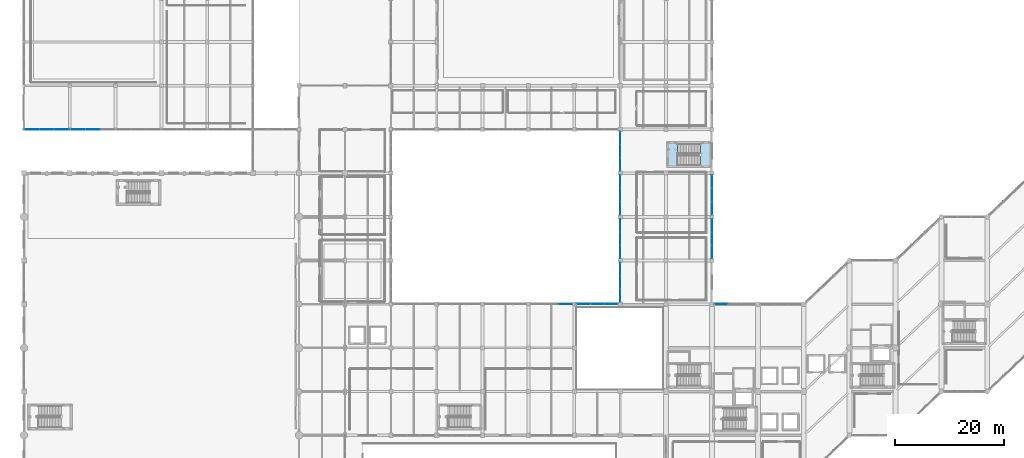
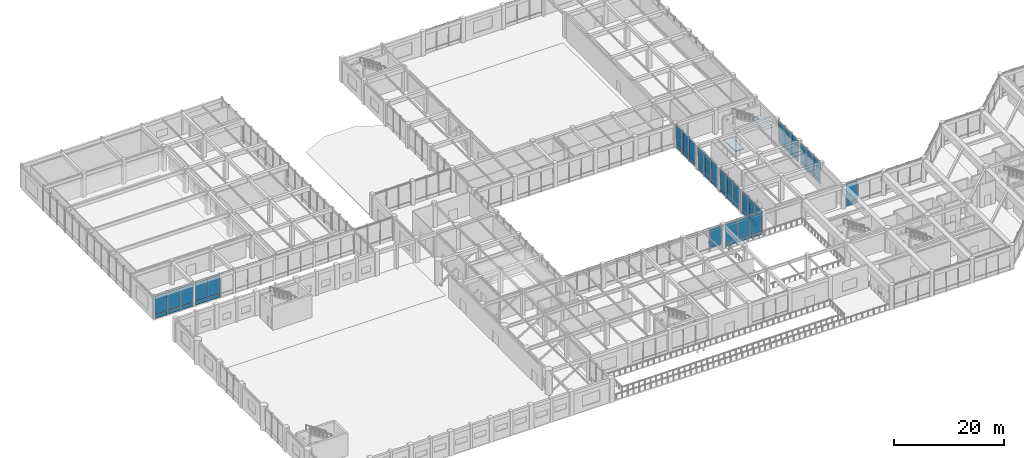
# One storey, part 50 of 79: 55 plates, 2 slabs, 12 elements without a shape of their own.
"""IFC4 building model written with IfcOpenShell, lengths in metres."""

from ifc_helpers import new_model, si_unit, direction, frame, origin, origin_2d, place, context, subcontext, project, spatial, polyline, rectangle, outline, extrude, material, layer, layer_set, type_object, element, aggregate, save


model = new_model("IFC4")

# Units and contexts
model_context = context("Model", 3, precision=1e-05, world=origin(), true_north=direction((0.0, 1.0)))
body_context = subcontext(model_context, "Body", "Model", "MODEL_VIEW")
ifc_project = project(units=[si_unit("LENGTHUNIT", "METRE"), si_unit("AREAUNIT", "SQUARE_METRE"), si_unit("VOLUMEUNIT", "CUBIC_METRE"), si_unit("PLANEANGLEUNIT", "RADIAN"), si_unit("MASSUNIT", "GRAM", prefix="KILO")], contexts=[model_context])

# Site, building, storey
site_placement = place(None, origin())
site = spatial("IfcSite", under=ifc_project, at=site_placement, CompositionType="ELEMENT")
building_placement = place(site_placement, origin())
building = spatial("IfcBuilding", under=site, at=building_placement, Name="Naruveol Harbour Congress Hotel", CompositionType="ELEMENT")
storey_placement = place(building_placement, frame((0.0, 0.0, 6.0)))
storey = spatial("IfcBuildingStorey", under=building, at=storey_placement, Name="L01", CompositionType="ELEMENT", Elevation=6.0)

# Curtain wall, plates
ifc_material_1 = material(Name="Low-E Curtain Wall System", Category="glass")
ifc_layer_1 = layer(ifc_material_1, 0.179931640625)
ifc_layer_set_1 = layer_set([ifc_layer_1], Name="Low-E Curtain Wall System")
curtain_wall_type_1 = type_object("IfcCurtainWallType", Name="UNITISED CURTAIN WALL CW-V3S-14 8050X5100", PredefinedType="USERDEFINED", material=ifc_layer_set_1)
curtain_wall_1_placement = place(storey_placement, origin())
curtain_wall_1 = element("IfcCurtainWall", 1, at=curtain_wall_1_placement, inside=storey, type_object=curtain_wall_type_1, Name="Unitised curtain wall CW-V3S-14 L01", ObjectType="UNITISED GLAZING", PredefinedType="USERDEFINED")
ifc_material_2 = material(Name="Anodised Aluminium Spandrel", Category="aluminium")
ifc_layer_2 = layer(ifc_material_2, 0.054931640625)
ifc_layer_set_2 = layer_set([ifc_layer_2], Name="Anodised Aluminium Spandrel")
plate_type_1 = type_object("IfcPlateType", Name="INSULATED CERAMIC SPANDREL PANEL 55", PredefinedType="CURTAIN_PANEL", material=ifc_layer_set_2)
plate_1_placement = place(storey_placement, frame((12.60009765625, 63.989990234375, 0.0400390625), z_axis=(0.0, 0.0, 1.0), x_axis=(-1.0, 0.0, 0.0)))
plate_1 = element("IfcPlate", 2, at=plate_1_placement, type_object=plate_type_1, Name="Curtain wall spandrel panel CW-L01-0025-PS1", PredefinedType="CURTAIN_PANEL", context=body_context, shape_type="SweptSolid", body=[
    extrude(rectangle(XDim=2.60302734375, YDim=0.054931640625, at=origin_2d()), origin(), (0.0, 0.0, 1.0), 0.77001953125),
])
plate_2_placement = place(storey_placement, frame((9.916748046875, 63.989990234375, 0.0400390625), z_axis=(0.0, 0.0, 1.0), x_axis=(-1.0, 0.0, 0.0)))
plate_2 = element("IfcPlate", 3, at=plate_2_placement, type_object=plate_type_1, Name="Curtain wall spandrel panel CW-L01-0025-PS2", PredefinedType="CURTAIN_PANEL", context=body_context, shape_type="SweptSolid", body=[
    extrude(rectangle(XDim=2.60302734375, YDim=0.054931640625, at=origin_2d()), origin(), (0.0, 0.0, 1.0), 0.77001953125),
])

curtain_wall_2_placement = place(storey_placement, origin())
curtain_wall_2 = element("IfcCurtainWall", 4, at=curtain_wall_2_placement, inside=storey, type_object=curtain_wall_type_1, Name="Unitised curtain wall CW-V3S-14 L01", ObjectType="UNITISED GLAZING", PredefinedType="USERDEFINED")
plate_3_placement = place(storey_placement, frame((6.88330078125, 63.989990234375, 0.0400390625), z_axis=(0.0, 0.0, 1.0), x_axis=(-1.0, 0.0, 0.0)))
plate_3 = element("IfcPlate", 5, at=plate_3_placement, type_object=plate_type_1, Name="Curtain wall spandrel panel CW-L01-0026-PS0", PredefinedType="CURTAIN_PANEL", context=body_context, shape_type="SweptSolid", body=[
    extrude(rectangle(XDim=2.60302734375, YDim=0.054931640625, at=origin_2d()), origin(), (0.0, 0.0, 1.0), 0.77001953125),
])
plate_4_placement = place(storey_placement, frame((4.199951171875, 63.989990234375, 0.0400390625), z_axis=(0.0, 0.0, 1.0), x_axis=(-1.0, 0.0, 0.0)))
plate_4 = element("IfcPlate", 6, at=plate_4_placement, type_object=plate_type_1, Name="Curtain wall spandrel panel CW-L01-0026-PS1", PredefinedType="CURTAIN_PANEL", context=body_context, shape_type="SweptSolid", body=[
    extrude(rectangle(XDim=2.60302734375, YDim=0.054931640625, at=origin_2d()), origin(), (0.0, 0.0, 1.0), 0.77001953125),
])
plate_5_placement = place(storey_placement, frame((1.5166015625, 63.989990234375, 0.0400390625), z_axis=(0.0, 0.0, 1.0), x_axis=(-1.0, 0.0, 0.0)))
plate_5 = element("IfcPlate", 7, at=plate_5_placement, type_object=plate_type_1, Name="Curtain wall spandrel panel CW-L01-0026-PS2", PredefinedType="CURTAIN_PANEL", context=body_context, shape_type="SweptSolid", body=[
    extrude(rectangle(XDim=2.60302734375, YDim=0.054931640625, at=origin_2d()), origin(), (0.0, 0.0, 1.0), 0.77001953125),
])

ifc_material_3 = material(Name="Low-E Curtain Wall System", Category="glass")
ifc_layer_3 = layer(ifc_material_3, 0.179931640625)
ifc_layer_set_3 = layer_set([ifc_layer_3], Name="Low-E Curtain Wall System")
curtain_wall_type_2 = type_object("IfcCurtainWallType", Name="UNITISED CURTAIN WALL CW-V4E-31 7250X5100", PredefinedType="USERDEFINED", material=ifc_layer_set_3)
curtain_wall_3_placement = place(storey_placement, origin())
curtain_wall_3 = element("IfcCurtainWall", 8, at=curtain_wall_3_placement, inside=storey, type_object=curtain_wall_type_2, Name="Unitised curtain wall CW-V4E-31 L01", ObjectType="UNITISED GLAZING", PredefinedType="USERDEFINED")
plate_6_placement = place(storey_placement, frame((126.010009765625, 54.416748046875, 0.0400390625), z_axis=(0.0, 0.0, 1.0), x_axis=(0.0, -1.0, 0.0)))
plate_6 = element("IfcPlate", 9, at=plate_6_placement, type_object=plate_type_1, Name="Curtain wall spandrel panel CW-L01-0074-PS0", PredefinedType="CURTAIN_PANEL", context=body_context, shape_type="SweptSolid", body=[
    extrude(rectangle(XDim=2.3369140625, YDim=0.054931640625, at=origin_2d()), origin(), (0.0, 0.0, 1.0), 0.77001953125),
])
plate_7_placement = place(storey_placement, frame((126.010009765625, 52.0, 0.0400390625), z_axis=(0.0, 0.0, 1.0), x_axis=(0.0, -1.0, 0.0)))
plate_7 = element("IfcPlate", 10, at=plate_7_placement, type_object=plate_type_1, Name="Curtain wall spandrel panel CW-L01-0074-PS1", PredefinedType="CURTAIN_PANEL", context=body_context, shape_type="SweptSolid", body=[
    extrude(rectangle(XDim=2.3369140625, YDim=0.054931640625, at=origin_2d()), origin(), (0.0, 0.0, 1.0), 0.77001953125),
])
plate_8_placement = place(storey_placement, frame((126.010009765625, 49.583251953125, 0.0400390625), z_axis=(0.0, 0.0, 1.0), x_axis=(0.0, -1.0, 0.0)))
plate_8 = element("IfcPlate", 11, at=plate_8_placement, type_object=plate_type_1, Name="Curtain wall spandrel panel CW-L01-0074-PS2", PredefinedType="CURTAIN_PANEL", context=body_context, shape_type="SweptSolid", body=[
    extrude(rectangle(XDim=2.3369140625, YDim=0.054931640625, at=origin_2d()), origin(), (0.0, 0.0, 1.0), 0.77001953125),
])

curtain_wall_4_placement = place(storey_placement, origin())
curtain_wall_4 = element("IfcCurtainWall", 12, at=curtain_wall_4_placement, inside=storey, type_object=curtain_wall_type_2, Name="Unitised curtain wall CW-V4E-31 L01", ObjectType="UNITISED GLAZING", PredefinedType="USERDEFINED")
plate_9_placement = place(storey_placement, frame((126.010009765625, 46.416748046875, 0.0400390625), z_axis=(0.0, 0.0, 1.0), x_axis=(0.0, -1.0, 0.0)))
plate_9 = element("IfcPlate", 13, at=plate_9_placement, type_object=plate_type_1, Name="Curtain wall spandrel panel CW-L01-0075-PS0", PredefinedType="CURTAIN_PANEL", context=body_context, shape_type="SweptSolid", body=[
    extrude(rectangle(XDim=2.3369140625, YDim=0.054931640625, at=origin_2d()), origin(), (0.0, 0.0, 1.0), 0.77001953125),
])
plate_10_placement = place(storey_placement, frame((126.010009765625, 44.0, 0.0400390625), z_axis=(0.0, 0.0, 1.0), x_axis=(0.0, -1.0, 0.0)))
plate_10 = element("IfcPlate", 14, at=plate_10_placement, type_object=plate_type_1, Name="Curtain wall spandrel panel CW-L01-0075-PS1", PredefinedType="CURTAIN_PANEL", context=body_context, shape_type="SweptSolid", body=[
    extrude(rectangle(XDim=2.3369140625, YDim=0.054931640625, at=origin_2d()), origin(), (0.0, 0.0, 1.0), 0.77001953125),
])
plate_11_placement = place(storey_placement, frame((126.010009765625, 41.583251953125, 0.0400390625), z_axis=(0.0, 0.0, 1.0), x_axis=(0.0, -1.0, 0.0)))
plate_11 = element("IfcPlate", 15, at=plate_11_placement, type_object=plate_type_1, Name="Curtain wall spandrel panel CW-L01-0075-PS2", PredefinedType="CURTAIN_PANEL", context=body_context, shape_type="SweptSolid", body=[
    extrude(rectangle(XDim=2.3369140625, YDim=0.054931640625, at=origin_2d()), origin(), (0.0, 0.0, 1.0), 0.77001953125),
])

ifc_material_4 = material(Name="Low-E Curtain Wall System", Category="glass")
ifc_layer_4 = layer(ifc_material_4, 0.179931640625)
ifc_layer_set_4 = layer_set([ifc_layer_4], Name="Low-E Curtain Wall System")
curtain_wall_type_3 = type_object("IfcCurtainWallType", Name="UNITISED CURTAIN WALL CW-CTS-35 7650X5100", PredefinedType="USERDEFINED", material=ifc_layer_set_4)
curtain_wall_5_placement = place(storey_placement, origin())
curtain_wall_5 = element("IfcCurtainWall", 16, at=curtain_wall_5_placement, inside=storey, type_object=curtain_wall_type_3, Name="Unitised curtain wall CW-CTS-35 L01", ObjectType="UNITISED GLAZING", PredefinedType="USERDEFINED")
plate_12_placement = place(storey_placement, frame((102.449951171875, 32.010009765625, 0.0400390625), z_axis=(0.0, 0.0, 1.0), x_axis=(1.0, 0.0, 0.0)))
plate_12 = element("IfcPlate", 17, at=plate_12_placement, type_object=plate_type_1, Name="Curtain wall spandrel panel CW-L01-0087-PS0", PredefinedType="CURTAIN_PANEL", context=body_context, shape_type="SweptSolid", body=[
    extrude(rectangle(XDim=2.469970703125, YDim=0.054931640625, at=origin_2d()), origin(), (0.0, 0.0, 1.0), 0.77001953125),
])
plate_13_placement = place(storey_placement, frame((105.0, 32.010009765625, 0.0400390625), z_axis=(0.0, 0.0, 1.0), x_axis=(1.0, 0.0, 0.0)))
plate_13 = element("IfcPlate", 18, at=plate_13_placement, type_object=plate_type_1, Name="Curtain wall spandrel panel CW-L01-0087-PS1", PredefinedType="CURTAIN_PANEL", context=body_context, shape_type="SweptSolid", body=[
    extrude(rectangle(XDim=2.469970703125, YDim=0.054931640625, at=origin_2d()), origin(), (0.0, 0.0, 1.0), 0.77001953125),
])
plate_14_placement = place(storey_placement, frame((107.550048828125, 32.010009765625, 0.0400390625), z_axis=(0.0, 0.0, 1.0), x_axis=(1.0, 0.0, 0.0)))
plate_14 = element("IfcPlate", 19, at=plate_14_placement, type_object=plate_type_1, Name="Curtain wall spandrel panel CW-L01-0087-PS2", PredefinedType="CURTAIN_PANEL", context=body_context, shape_type="SweptSolid", body=[
    extrude(rectangle(XDim=2.469970703125, YDim=0.054931640625, at=origin_2d()), origin(), (0.0, 0.0, 1.0), 0.77001953125),
])

ifc_material_5 = material(Name="Low-E Curtain Wall System", Category="glass")
ifc_layer_5 = layer(ifc_material_5, 0.179931640625)
ifc_layer_set_5 = layer_set([ifc_layer_5], Name="Low-E Curtain Wall System")
curtain_wall_type_4 = type_object("IfcCurtainWallType", Name="UNITISED CURTAIN WALL CW-CTE-37 7250X5100", PredefinedType="USERDEFINED", material=ifc_layer_set_5)
curtain_wall_6_placement = place(storey_placement, origin())
curtain_wall_6 = element("IfcCurtainWall", 20, at=curtain_wall_6_placement, inside=storey, type_object=curtain_wall_type_4, Name="Unitised curtain wall CW-CTE-37 L01", ObjectType="UNITISED GLAZING", PredefinedType="USERDEFINED")
plate_15_placement = place(storey_placement, frame((109.2099609375, 38.416748046875, 0.0400390625), z_axis=(0.0, 0.0, 1.0), x_axis=(0.0, -1.0, 0.0)))
plate_15 = element("IfcPlate", 21, at=plate_15_placement, type_object=plate_type_1, Name="Curtain wall spandrel panel CW-L01-0089-PS0", PredefinedType="CURTAIN_PANEL", context=body_context, shape_type="SweptSolid", body=[
    extrude(rectangle(XDim=2.3369140625, YDim=0.054931640625, at=origin_2d()), origin(), (0.0, 0.0, 1.0), 0.77001953125),
])
plate_16_placement = place(storey_placement, frame((109.2099609375, 36.0, 0.0400390625), z_axis=(0.0, 0.0, 1.0), x_axis=(0.0, -1.0, 0.0)))
plate_16 = element("IfcPlate", 22, at=plate_16_placement, type_object=plate_type_1, Name="Curtain wall spandrel panel CW-L01-0089-PS1", PredefinedType="CURTAIN_PANEL", context=body_context, shape_type="SweptSolid", body=[
    extrude(rectangle(XDim=2.3369140625, YDim=0.054931640625, at=origin_2d()), origin(), (0.0, 0.0, 1.0), 0.77001953125),
])
plate_17_placement = place(storey_placement, frame((109.2099609375, 33.583251953125, 0.0400390625), z_axis=(0.0, 0.0, 1.0), x_axis=(0.0, -1.0, 0.0)))
plate_17 = element("IfcPlate", 23, at=plate_17_placement, type_object=plate_type_1, Name="Curtain wall spandrel panel CW-L01-0089-PS2", PredefinedType="CURTAIN_PANEL", context=body_context, shape_type="SweptSolid", body=[
    extrude(rectangle(XDim=2.3369140625, YDim=0.054931640625, at=origin_2d()), origin(), (0.0, 0.0, 1.0), 0.77001953125),
])

curtain_wall_7_placement = place(storey_placement, origin())
curtain_wall_7 = element("IfcCurtainWall", 24, at=curtain_wall_7_placement, inside=storey, type_object=curtain_wall_type_4, Name="Unitised curtain wall CW-CTE-37 L01", ObjectType="UNITISED GLAZING", PredefinedType="USERDEFINED")
plate_18_placement = place(storey_placement, frame((109.2099609375, 46.416748046875, 0.0400390625), z_axis=(0.0, 0.0, 1.0), x_axis=(0.0, -1.0, 0.0)))
plate_18 = element("IfcPlate", 25, at=plate_18_placement, type_object=plate_type_1, Name="Curtain wall spandrel panel CW-L01-0091-PS0", PredefinedType="CURTAIN_PANEL", context=body_context, shape_type="SweptSolid", body=[
    extrude(rectangle(XDim=2.3369140625, YDim=0.054931640625, at=origin_2d()), origin(), (0.0, 0.0, 1.0), 0.77001953125),
])
plate_19_placement = place(storey_placement, frame((109.2099609375, 44.0, 0.0400390625), z_axis=(0.0, 0.0, 1.0), x_axis=(0.0, -1.0, 0.0)))
plate_19 = element("IfcPlate", 26, at=plate_19_placement, type_object=plate_type_1, Name="Curtain wall spandrel panel CW-L01-0091-PS1", PredefinedType="CURTAIN_PANEL", context=body_context, shape_type="SweptSolid", body=[
    extrude(rectangle(XDim=2.3369140625, YDim=0.054931640625, at=origin_2d()), origin(), (0.0, 0.0, 1.0), 0.77001953125),
])
plate_20_placement = place(storey_placement, frame((109.2099609375, 41.583251953125, 0.0400390625), z_axis=(0.0, 0.0, 1.0), x_axis=(0.0, -1.0, 0.0)))
plate_20 = element("IfcPlate", 27, at=plate_20_placement, type_object=plate_type_1, Name="Curtain wall spandrel panel CW-L01-0091-PS2", PredefinedType="CURTAIN_PANEL", context=body_context, shape_type="SweptSolid", body=[
    extrude(rectangle(XDim=2.3369140625, YDim=0.054931640625, at=origin_2d()), origin(), (0.0, 0.0, 1.0), 0.77001953125),
])

curtain_wall_8_placement = place(storey_placement, origin())
curtain_wall_8 = element("IfcCurtainWall", 28, at=curtain_wall_8_placement, inside=storey, type_object=curtain_wall_type_4, Name="Unitised curtain wall CW-CTE-37 L01", ObjectType="UNITISED GLAZING", PredefinedType="USERDEFINED")
plate_21_placement = place(storey_placement, frame((109.2099609375, 54.416748046875, 0.0400390625), z_axis=(0.0, 0.0, 1.0), x_axis=(0.0, -1.0, 0.0)))
plate_21 = element("IfcPlate", 29, at=plate_21_placement, type_object=plate_type_1, Name="Curtain wall spandrel panel CW-L01-0093-PS0", PredefinedType="CURTAIN_PANEL", context=body_context, shape_type="SweptSolid", body=[
    extrude(rectangle(XDim=2.3369140625, YDim=0.054931640625, at=origin_2d()), origin(), (0.0, 0.0, 1.0), 0.77001953125),
])
plate_22_placement = place(storey_placement, frame((109.2099609375, 52.0, 0.0400390625), z_axis=(0.0, 0.0, 1.0), x_axis=(0.0, -1.0, 0.0)))
plate_22 = element("IfcPlate", 30, at=plate_22_placement, type_object=plate_type_1, Name="Curtain wall spandrel panel CW-L01-0093-PS1", PredefinedType="CURTAIN_PANEL", context=body_context, shape_type="SweptSolid", body=[
    extrude(rectangle(XDim=2.3369140625, YDim=0.054931640625, at=origin_2d()), origin(), (0.0, 0.0, 1.0), 0.77001953125),
])
plate_23_placement = place(storey_placement, frame((109.2099609375, 49.583251953125, 0.0400390625), z_axis=(0.0, 0.0, 1.0), x_axis=(0.0, -1.0, 0.0)))
plate_23 = element("IfcPlate", 31, at=plate_23_placement, type_object=plate_type_1, Name="Curtain wall spandrel panel CW-L01-0093-PS2", PredefinedType="CURTAIN_PANEL", context=body_context, shape_type="SweptSolid", body=[
    extrude(rectangle(XDim=2.3369140625, YDim=0.054931640625, at=origin_2d()), origin(), (0.0, 0.0, 1.0), 0.77001953125),
])

curtain_wall_9_placement = place(storey_placement, origin())
curtain_wall_9 = element("IfcCurtainWall", 32, at=curtain_wall_9_placement, inside=storey, type_object=curtain_wall_type_4, Name="Unitised curtain wall CW-CTE-37 L01", ObjectType="UNITISED GLAZING", PredefinedType="USERDEFINED")
plate_24_placement = place(storey_placement, frame((109.2099609375, 62.416748046875, 0.0400390625), z_axis=(0.0, 0.0, 1.0), x_axis=(0.0, -1.0, 0.0)))
plate_24 = element("IfcPlate", 33, at=plate_24_placement, type_object=plate_type_1, Name="Curtain wall spandrel panel CW-L01-0095-PS0", PredefinedType="CURTAIN_PANEL", context=body_context, shape_type="SweptSolid", body=[
    extrude(rectangle(XDim=2.3369140625, YDim=0.054931640625, at=origin_2d()), origin(), (0.0, 0.0, 1.0), 0.77001953125),
])
plate_25_placement = place(storey_placement, frame((109.2099609375, 60.0, 0.0400390625), z_axis=(0.0, 0.0, 1.0), x_axis=(0.0, -1.0, 0.0)))
plate_25 = element("IfcPlate", 34, at=plate_25_placement, type_object=plate_type_1, Name="Curtain wall spandrel panel CW-L01-0095-PS1", PredefinedType="CURTAIN_PANEL", context=body_context, shape_type="SweptSolid", body=[
    extrude(rectangle(XDim=2.3369140625, YDim=0.054931640625, at=origin_2d()), origin(), (0.0, 0.0, 1.0), 0.77001953125),
])
plate_26_placement = place(storey_placement, frame((109.2099609375, 57.583251953125, 0.0400390625), z_axis=(0.0, 0.0, 1.0), x_axis=(0.0, -1.0, 0.0)))
plate_26 = element("IfcPlate", 35, at=plate_26_placement, type_object=plate_type_1, Name="Curtain wall spandrel panel CW-L01-0095-PS2", PredefinedType="CURTAIN_PANEL", context=body_context, shape_type="SweptSolid", body=[
    extrude(rectangle(XDim=2.3369140625, YDim=0.054931640625, at=origin_2d()), origin(), (0.0, 0.0, 1.0), 0.77001953125),
])

# Curtain wall, plate
ifc_material_6 = material(Name="Low-E Curtain Wall System", Category="glass")
ifc_layer_6 = layer(ifc_material_6, 0.179931640625)
ifc_layer_set_6 = layer_set([ifc_layer_6], Name="Low-E Curtain Wall System")
curtain_wall_type_5 = type_object("IfcCurtainWallType", Name="UNITISED CURTAIN WALL CW-V5N-51 7500X5120", PredefinedType="USERDEFINED", material=ifc_layer_set_6)
curtain_wall_10_placement = place(storey_placement, origin())
curtain_wall_10 = element("IfcCurtainWall", 36, at=curtain_wall_10_placement, inside=storey, type_object=curtain_wall_type_5, Name="Unitised curtain wall CW-V5N-51 L01", ObjectType="UNITISED GLAZING", PredefinedType="USERDEFINED")
plate_27_placement = place(storey_placement, frame((127.699951171875, 32.010009765625, 0.0400390625), z_axis=(0.0, 0.0, 1.0), x_axis=(1.0, 0.0, 0.0)))
plate_27 = element("IfcPlate", 37, at=plate_27_placement, type_object=plate_type_1, Name="Curtain wall spandrel panel CW-L01-0138-PS0", PredefinedType="CURTAIN_PANEL", context=body_context, shape_type="SweptSolid", body=[
    extrude(rectangle(XDim=2.419921875, YDim=0.054931640625, at=origin_2d()), origin(), (0.0, 0.0, 1.0), 0.77001953125),
])

# Plate
ifc_material_7 = material(Name="Low-E Insulated Glass", Category="glass")
ifc_layer_7 = layer(ifc_material_7, 0.0419921875)
ifc_layer_set_7 = layer_set([ifc_layer_7], Name="Low-E Insulated Glass")
plate_type_2 = type_object("IfcPlateType", Name="LOW-E TRIPLE GLAZED CURTAIN PANEL 42", PredefinedType="CURTAIN_PANEL", material=ifc_layer_set_7)
plate_28_placement = place(storey_placement, frame((12.60009765625, 63.989990234375, 0.89013671875), z_axis=(0.0, 0.0, 1.0), x_axis=(-1.0, 0.0, 0.0)))
plate_28 = element("IfcPlate", 38, at=plate_28_placement, type_object=plate_type_2, Name="Curtain wall vision panel CW-L01-0025-PG1", PredefinedType="CURTAIN_PANEL", context=body_context, shape_type="SweptSolid", body=[
    extrude(rectangle(XDim=2.60302734375, YDim=0.0419921875, at=origin_2d()), origin(), (0.0, 0.0, 1.0), 4.090087890625),
])

plate_29_placement = place(storey_placement, frame((9.916748046875, 63.989990234375, 0.89013671875), z_axis=(0.0, 0.0, 1.0), x_axis=(-1.0, 0.0, 0.0)))
plate_29 = element("IfcPlate", 39, at=plate_29_placement, type_object=plate_type_2, Name="Curtain wall vision panel CW-L01-0025-PG2", PredefinedType="CURTAIN_PANEL", context=body_context, shape_type="SweptSolid", body=[
    extrude(rectangle(XDim=2.60302734375, YDim=0.0419921875, at=origin_2d()), origin(), (0.0, 0.0, 1.0), 4.090087890625),
])

aggregate(curtain_wall_1, [plate_1, plate_28, plate_2, plate_29])

plate_30_placement = place(storey_placement, frame((6.88330078125, 63.989990234375, 0.89013671875), z_axis=(0.0, 0.0, 1.0), x_axis=(-1.0, 0.0, 0.0)))
plate_30 = element("IfcPlate", 40, at=plate_30_placement, type_object=plate_type_2, Name="Curtain wall vision panel CW-L01-0026-PG0", PredefinedType="CURTAIN_PANEL", context=body_context, shape_type="SweptSolid", body=[
    extrude(rectangle(XDim=2.60302734375, YDim=0.0419921875, at=origin_2d()), origin(), (0.0, 0.0, 1.0), 4.090087890625),
])

plate_31_placement = place(storey_placement, frame((4.199951171875, 63.989990234375, 0.89013671875), z_axis=(0.0, 0.0, 1.0), x_axis=(-1.0, 0.0, 0.0)))
plate_31 = element("IfcPlate", 41, at=plate_31_placement, type_object=plate_type_2, Name="Curtain wall vision panel CW-L01-0026-PG1", PredefinedType="CURTAIN_PANEL", context=body_context, shape_type="SweptSolid", body=[
    extrude(rectangle(XDim=2.60302734375, YDim=0.0419921875, at=origin_2d()), origin(), (0.0, 0.0, 1.0), 4.090087890625),
])

plate_32_placement = place(storey_placement, frame((1.5166015625, 63.989990234375, 0.89013671875), z_axis=(0.0, 0.0, 1.0), x_axis=(-1.0, 0.0, 0.0)))
plate_32 = element("IfcPlate", 42, at=plate_32_placement, type_object=plate_type_2, Name="Curtain wall vision panel CW-L01-0026-PG2", PredefinedType="CURTAIN_PANEL", context=body_context, shape_type="SweptSolid", body=[
    extrude(rectangle(XDim=2.60302734375, YDim=0.0419921875, at=origin_2d()), origin(), (0.0, 0.0, 1.0), 4.090087890625),
])

aggregate(curtain_wall_2, [plate_3, plate_30, plate_4, plate_31, plate_5, plate_32])

plate_33_placement = place(storey_placement, frame((126.010009765625, 54.416748046875, 0.89013671875), z_axis=(0.0, 0.0, 1.0), x_axis=(0.0, -1.0, 0.0)))
plate_33 = element("IfcPlate", 43, at=plate_33_placement, type_object=plate_type_2, Name="Curtain wall vision panel CW-L01-0074-PG0", PredefinedType="CURTAIN_PANEL", context=body_context, shape_type="SweptSolid", body=[
    extrude(rectangle(XDim=2.3369140625, YDim=0.0419921875, at=origin_2d()), origin(), (0.0, 0.0, 1.0), 4.090087890625),
])

plate_34_placement = place(storey_placement, frame((126.010009765625, 52.0, 0.89013671875), z_axis=(0.0, 0.0, 1.0), x_axis=(0.0, -1.0, 0.0)))
plate_34 = element("IfcPlate", 44, at=plate_34_placement, type_object=plate_type_2, Name="Curtain wall vision panel CW-L01-0074-PG1", PredefinedType="CURTAIN_PANEL", context=body_context, shape_type="SweptSolid", body=[
    extrude(rectangle(XDim=2.3369140625, YDim=0.0419921875, at=origin_2d()), origin(), (0.0, 0.0, 1.0), 4.090087890625),
])

plate_35_placement = place(storey_placement, frame((126.010009765625, 49.583251953125, 0.89013671875), z_axis=(0.0, 0.0, 1.0), x_axis=(0.0, -1.0, 0.0)))
plate_35 = element("IfcPlate", 45, at=plate_35_placement, type_object=plate_type_2, Name="Curtain wall vision panel CW-L01-0074-PG2", PredefinedType="CURTAIN_PANEL", context=body_context, shape_type="SweptSolid", body=[
    extrude(rectangle(XDim=2.3369140625, YDim=0.0419921875, at=origin_2d()), origin(), (0.0, 0.0, 1.0), 4.090087890625),
])

aggregate(curtain_wall_3, [plate_6, plate_33, plate_7, plate_34, plate_8, plate_35])

plate_36_placement = place(storey_placement, frame((126.010009765625, 46.416748046875, 0.89013671875), z_axis=(0.0, 0.0, 1.0), x_axis=(0.0, -1.0, 0.0)))
plate_36 = element("IfcPlate", 46, at=plate_36_placement, type_object=plate_type_2, Name="Curtain wall vision panel CW-L01-0075-PG0", PredefinedType="CURTAIN_PANEL", context=body_context, shape_type="SweptSolid", body=[
    extrude(rectangle(XDim=2.3369140625, YDim=0.0419921875, at=origin_2d()), origin(), (0.0, 0.0, 1.0), 4.090087890625),
])

plate_37_placement = place(storey_placement, frame((126.010009765625, 44.0, 0.89013671875), z_axis=(0.0, 0.0, 1.0), x_axis=(0.0, -1.0, 0.0)))
plate_37 = element("IfcPlate", 47, at=plate_37_placement, type_object=plate_type_2, Name="Curtain wall vision panel CW-L01-0075-PG1", PredefinedType="CURTAIN_PANEL", context=body_context, shape_type="SweptSolid", body=[
    extrude(rectangle(XDim=2.3369140625, YDim=0.0419921875, at=origin_2d()), origin(), (0.0, 0.0, 1.0), 4.090087890625),
])

plate_38_placement = place(storey_placement, frame((126.010009765625, 41.583251953125, 0.89013671875), z_axis=(0.0, 0.0, 1.0), x_axis=(0.0, -1.0, 0.0)))
plate_38 = element("IfcPlate", 48, at=plate_38_placement, type_object=plate_type_2, Name="Curtain wall vision panel CW-L01-0075-PG2", PredefinedType="CURTAIN_PANEL", context=body_context, shape_type="SweptSolid", body=[
    extrude(rectangle(XDim=2.3369140625, YDim=0.0419921875, at=origin_2d()), origin(), (0.0, 0.0, 1.0), 4.090087890625),
])

aggregate(curtain_wall_4, [plate_9, plate_36, plate_10, plate_37, plate_11, plate_38])

# Curtain wall, plate
curtain_wall_11_placement = place(storey_placement, origin())
curtain_wall_11 = element("IfcCurtainWall", 49, at=curtain_wall_11_placement, inside=storey, type_object=curtain_wall_type_3, Name="Unitised curtain wall CW-CTS-35 L01", ObjectType="UNITISED GLAZING", PredefinedType="USERDEFINED")
plate_39_placement = place(storey_placement, frame((99.14990234375, 32.010009765625, 0.89013671875), z_axis=(0.0, 0.0, 1.0), x_axis=(1.0, 0.0, 0.0)))
plate_39 = element("IfcPlate", 50, at=plate_39_placement, type_object=plate_type_2, Name="Curtain wall vision panel CW-L01-0085-PG2", PredefinedType="CURTAIN_PANEL", context=body_context, shape_type="SweptSolid", body=[
    extrude(rectangle(XDim=2.469970703125, YDim=0.0419921875, at=origin_2d()), origin(), (0.0, 0.0, 1.0), 4.090087890625),
])
aggregate(curtain_wall_11, [plate_39])

# Plate
plate_40_placement = place(storey_placement, frame((102.449951171875, 32.010009765625, 0.89013671875), z_axis=(0.0, 0.0, 1.0), x_axis=(1.0, 0.0, 0.0)))
plate_40 = element("IfcPlate", 51, at=plate_40_placement, type_object=plate_type_2, Name="Curtain wall vision panel CW-L01-0087-PG0", PredefinedType="CURTAIN_PANEL", context=body_context, shape_type="SweptSolid", body=[
    extrude(rectangle(XDim=2.469970703125, YDim=0.0419921875, at=origin_2d()), origin(), (0.0, 0.0, 1.0), 4.090087890625),
])

plate_41_placement = place(storey_placement, frame((105.0, 32.010009765625, 0.89013671875), z_axis=(0.0, 0.0, 1.0), x_axis=(1.0, 0.0, 0.0)))
plate_41 = element("IfcPlate", 52, at=plate_41_placement, type_object=plate_type_2, Name="Curtain wall vision panel CW-L01-0087-PG1", PredefinedType="CURTAIN_PANEL", context=body_context, shape_type="SweptSolid", body=[
    extrude(rectangle(XDim=2.469970703125, YDim=0.0419921875, at=origin_2d()), origin(), (0.0, 0.0, 1.0), 4.090087890625),
])

plate_42_placement = place(storey_placement, frame((107.550048828125, 32.010009765625, 0.89013671875), z_axis=(0.0, 0.0, 1.0), x_axis=(1.0, 0.0, 0.0)))
plate_42 = element("IfcPlate", 53, at=plate_42_placement, type_object=plate_type_2, Name="Curtain wall vision panel CW-L01-0087-PG2", PredefinedType="CURTAIN_PANEL", context=body_context, shape_type="SweptSolid", body=[
    extrude(rectangle(XDim=2.469970703125, YDim=0.0419921875, at=origin_2d()), origin(), (0.0, 0.0, 1.0), 4.090087890625),
])

aggregate(curtain_wall_5, [plate_12, plate_40, plate_13, plate_41, plate_14, plate_42])

plate_43_placement = place(storey_placement, frame((109.2099609375, 38.416748046875, 0.89013671875), z_axis=(0.0, 0.0, 1.0), x_axis=(0.0, -1.0, 0.0)))
plate_43 = element("IfcPlate", 54, at=plate_43_placement, type_object=plate_type_2, Name="Curtain wall vision panel CW-L01-0089-PG0", PredefinedType="CURTAIN_PANEL", context=body_context, shape_type="SweptSolid", body=[
    extrude(rectangle(XDim=2.3369140625, YDim=0.0419921875, at=origin_2d()), origin(), (0.0, 0.0, 1.0), 4.090087890625),
])

plate_44_placement = place(storey_placement, frame((109.2099609375, 36.0, 0.89013671875), z_axis=(0.0, 0.0, 1.0), x_axis=(0.0, -1.0, 0.0)))
plate_44 = element("IfcPlate", 55, at=plate_44_placement, type_object=plate_type_2, Name="Curtain wall vision panel CW-L01-0089-PG1", PredefinedType="CURTAIN_PANEL", context=body_context, shape_type="SweptSolid", body=[
    extrude(rectangle(XDim=2.3369140625, YDim=0.0419921875, at=origin_2d()), origin(), (0.0, 0.0, 1.0), 4.090087890625),
])

plate_45_placement = place(storey_placement, frame((109.2099609375, 33.583251953125, 0.89013671875), z_axis=(0.0, 0.0, 1.0), x_axis=(0.0, -1.0, 0.0)))
plate_45 = element("IfcPlate", 56, at=plate_45_placement, type_object=plate_type_2, Name="Curtain wall vision panel CW-L01-0089-PG2", PredefinedType="CURTAIN_PANEL", context=body_context, shape_type="SweptSolid", body=[
    extrude(rectangle(XDim=2.3369140625, YDim=0.0419921875, at=origin_2d()), origin(), (0.0, 0.0, 1.0), 4.090087890625),
])

aggregate(curtain_wall_6, [plate_15, plate_43, plate_16, plate_44, plate_17, plate_45])

plate_46_placement = place(storey_placement, frame((109.2099609375, 46.416748046875, 0.89013671875), z_axis=(0.0, 0.0, 1.0), x_axis=(0.0, -1.0, 0.0)))
plate_46 = element("IfcPlate", 57, at=plate_46_placement, type_object=plate_type_2, Name="Curtain wall vision panel CW-L01-0091-PG0", PredefinedType="CURTAIN_PANEL", context=body_context, shape_type="SweptSolid", body=[
    extrude(rectangle(XDim=2.3369140625, YDim=0.0419921875, at=origin_2d()), origin(), (0.0, 0.0, 1.0), 4.090087890625),
])

plate_47_placement = place(storey_placement, frame((109.2099609375, 44.0, 0.89013671875), z_axis=(0.0, 0.0, 1.0), x_axis=(0.0, -1.0, 0.0)))
plate_47 = element("IfcPlate", 58, at=plate_47_placement, type_object=plate_type_2, Name="Curtain wall vision panel CW-L01-0091-PG1", PredefinedType="CURTAIN_PANEL", context=body_context, shape_type="SweptSolid", body=[
    extrude(rectangle(XDim=2.3369140625, YDim=0.0419921875, at=origin_2d()), origin(), (0.0, 0.0, 1.0), 4.090087890625),
])

plate_48_placement = place(storey_placement, frame((109.2099609375, 41.583251953125, 0.89013671875), z_axis=(0.0, 0.0, 1.0), x_axis=(0.0, -1.0, 0.0)))
plate_48 = element("IfcPlate", 59, at=plate_48_placement, type_object=plate_type_2, Name="Curtain wall vision panel CW-L01-0091-PG2", PredefinedType="CURTAIN_PANEL", context=body_context, shape_type="SweptSolid", body=[
    extrude(rectangle(XDim=2.3369140625, YDim=0.0419921875, at=origin_2d()), origin(), (0.0, 0.0, 1.0), 4.090087890625),
])

aggregate(curtain_wall_7, [plate_18, plate_46, plate_19, plate_47, plate_20, plate_48])

plate_49_placement = place(storey_placement, frame((109.2099609375, 54.416748046875, 0.89013671875), z_axis=(0.0, 0.0, 1.0), x_axis=(0.0, -1.0, 0.0)))
plate_49 = element("IfcPlate", 60, at=plate_49_placement, type_object=plate_type_2, Name="Curtain wall vision panel CW-L01-0093-PG0", PredefinedType="CURTAIN_PANEL", context=body_context, shape_type="SweptSolid", body=[
    extrude(rectangle(XDim=2.3369140625, YDim=0.0419921875, at=origin_2d()), origin(), (0.0, 0.0, 1.0), 4.090087890625),
])

plate_50_placement = place(storey_placement, frame((109.2099609375, 52.0, 0.89013671875), z_axis=(0.0, 0.0, 1.0), x_axis=(0.0, -1.0, 0.0)))
plate_50 = element("IfcPlate", 61, at=plate_50_placement, type_object=plate_type_2, Name="Curtain wall vision panel CW-L01-0093-PG1", PredefinedType="CURTAIN_PANEL", context=body_context, shape_type="SweptSolid", body=[
    extrude(rectangle(XDim=2.3369140625, YDim=0.0419921875, at=origin_2d()), origin(), (0.0, 0.0, 1.0), 4.090087890625),
])

plate_51_placement = place(storey_placement, frame((109.2099609375, 49.583251953125, 0.89013671875), z_axis=(0.0, 0.0, 1.0), x_axis=(0.0, -1.0, 0.0)))
plate_51 = element("IfcPlate", 62, at=plate_51_placement, type_object=plate_type_2, Name="Curtain wall vision panel CW-L01-0093-PG2", PredefinedType="CURTAIN_PANEL", context=body_context, shape_type="SweptSolid", body=[
    extrude(rectangle(XDim=2.3369140625, YDim=0.0419921875, at=origin_2d()), origin(), (0.0, 0.0, 1.0), 4.090087890625),
])

aggregate(curtain_wall_8, [plate_21, plate_49, plate_22, plate_50, plate_23, plate_51])

plate_52_placement = place(storey_placement, frame((109.2099609375, 62.416748046875, 0.89013671875), z_axis=(0.0, 0.0, 1.0), x_axis=(0.0, -1.0, 0.0)))
plate_52 = element("IfcPlate", 63, at=plate_52_placement, type_object=plate_type_2, Name="Curtain wall vision panel CW-L01-0095-PG0", PredefinedType="CURTAIN_PANEL", context=body_context, shape_type="SweptSolid", body=[
    extrude(rectangle(XDim=2.3369140625, YDim=0.0419921875, at=origin_2d()), origin(), (0.0, 0.0, 1.0), 4.090087890625),
])

plate_53_placement = place(storey_placement, frame((109.2099609375, 60.0, 0.89013671875), z_axis=(0.0, 0.0, 1.0), x_axis=(0.0, -1.0, 0.0)))
plate_53 = element("IfcPlate", 64, at=plate_53_placement, type_object=plate_type_2, Name="Curtain wall vision panel CW-L01-0095-PG1", PredefinedType="CURTAIN_PANEL", context=body_context, shape_type="SweptSolid", body=[
    extrude(rectangle(XDim=2.3369140625, YDim=0.0419921875, at=origin_2d()), origin(), (0.0, 0.0, 1.0), 4.090087890625),
])

plate_54_placement = place(storey_placement, frame((109.2099609375, 57.583251953125, 0.89013671875), z_axis=(0.0, 0.0, 1.0), x_axis=(0.0, -1.0, 0.0)))
plate_54 = element("IfcPlate", 65, at=plate_54_placement, type_object=plate_type_2, Name="Curtain wall vision panel CW-L01-0095-PG2", PredefinedType="CURTAIN_PANEL", context=body_context, shape_type="SweptSolid", body=[
    extrude(rectangle(XDim=2.3369140625, YDim=0.0419921875, at=origin_2d()), origin(), (0.0, 0.0, 1.0), 4.090087890625),
])

aggregate(curtain_wall_9, [plate_24, plate_52, plate_25, plate_53, plate_26, plate_54])

plate_55_placement = place(storey_placement, frame((127.699951171875, 32.010009765625, 0.89013671875), z_axis=(0.0, 0.0, 1.0), x_axis=(1.0, 0.0, 0.0)))
plate_55 = element("IfcPlate", 66, at=plate_55_placement, type_object=plate_type_2, Name="Curtain wall vision panel CW-L01-0138-PG0", PredefinedType="CURTAIN_PANEL", context=body_context, shape_type="SweptSolid", body=[
    extrude(rectangle(XDim=2.419921875, YDim=0.0419921875, at=origin_2d()), origin(), (0.0, 0.0, 1.0), 4.110107421875),
])

aggregate(curtain_wall_10, [plate_27, plate_55])

# Slab
ifc_material_8 = material(Name="Concrete C40/50", Category="concrete")
ifc_layer_8 = layer(ifc_material_8, 0.179931640625)
ifc_layer_set_8 = layer_set([ifc_layer_8], Name="Concrete C40/50")
slab_type = type_object("IfcSlabType", Name="RC STAIR HALF LANDING SLAB 180", PredefinedType="LANDING", material=ifc_layer_set_8)
slab_1_placement = place(storey_placement, frame((0.0, 0.0, -0.179931640625)))
element("IfcSlab", 67, at=slab_1_placement, inside=storey, type_object=slab_type, Name="Stair ST9 L01 floor landing", PredefinedType="LANDING", context=body_context, shape_type="SweptSolid", body=[
    extrude(outline(polyline([(117.89990234375, 57.199951171875), (119.699951171875, 57.199951171875), (119.699951171875, 61.56005859375), (117.89990234375, 61.56005859375), (117.89990234375, 57.199951171875)])), origin(), (0.0, 0.0, 1.0), 0.179931640625),
])

# Stair, slab
ifc_material_9 = material(Name="Concrete C40/50", Category="concrete")
stair_type = type_object("IfcStairType", Name="RC DOG LEG ESCAPE STAIR 1800W H5400", PredefinedType="HALF_TURN_STAIR", material=ifc_material_9)
stair_placement = place(storey_placement, origin())
stair = element("IfcStair", 68, at=stair_placement, inside=storey, type_object=stair_type, Name="Courtyard North-East Exit Stair ST9 L01 to L02", PredefinedType="HALF_TURN_STAIR")
slab_2_placement = place(storey_placement, frame((0.0, 0.0, 2.52001953125)))
slab_2 = element("IfcSlab", 69, at=slab_2_placement, type_object=slab_type, Name="ST9 L01 half landing", PredefinedType="LANDING", context=body_context, shape_type="SweptSolid", body=[
    extrude(outline(polyline([(123.89990234375, 57.199951171875), (125.699951171875, 57.199951171875), (125.699951171875, 61.56005859375), (123.89990234375, 61.56005859375), (123.89990234375, 57.199951171875)])), origin(), (0.0, 0.0, 1.0), 0.179931640625),
])
aggregate(stair, [slab_2])

save(model, "model.ifc")
